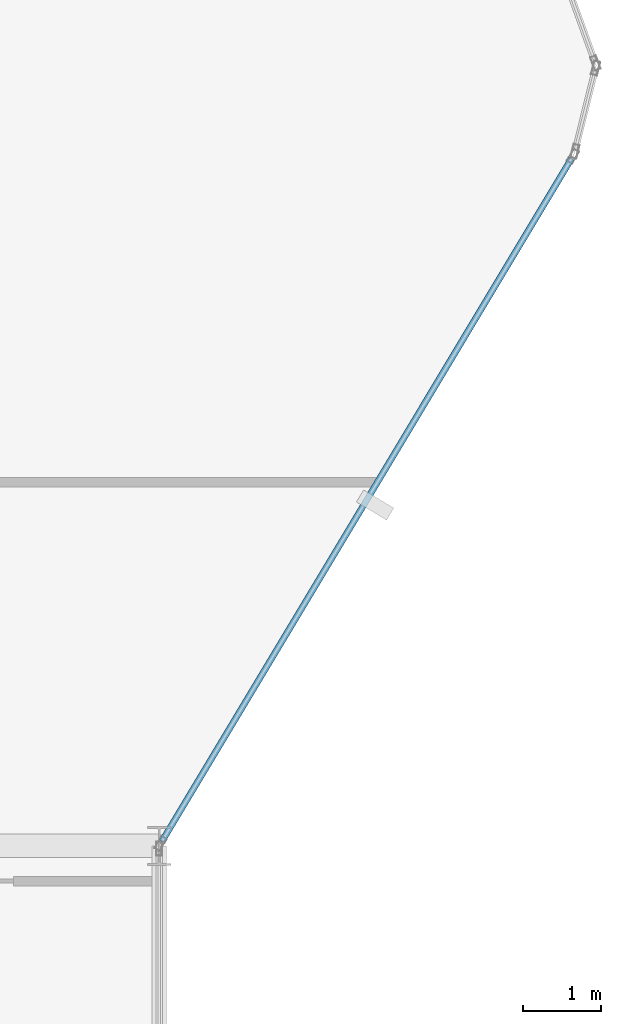
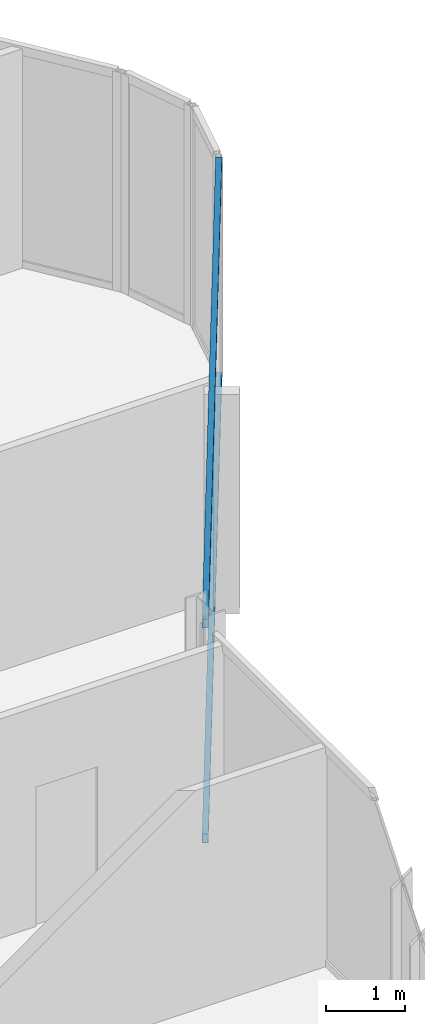
# One storey, part 14 of 31: 2 members, 1 element without a shape of its own.
"""IFC4 building model written with IfcOpenShell, lengths in metres."""

from ifc_helpers import new_model, si_unit, direction, frame, origin, origin_2d, place, context, subcontext, project, spatial, hollow_rectangle, extrude, material, layer, layer_set, material_profile, profile_set, type_object, element, aggregate, save


model = new_model("IFC4")

# Units and contexts
model_context = context("Model", 3, precision=1e-05, world=origin(), true_north=direction((0.0, 1.0)))
body_context = subcontext(model_context, "Body", "Model", "MODEL_VIEW")
ifc_project = project(units=[si_unit("LENGTHUNIT", "METRE"), si_unit("AREAUNIT", "SQUARE_METRE"), si_unit("VOLUMEUNIT", "CUBIC_METRE"), si_unit("PLANEANGLEUNIT", "RADIAN"), si_unit("MASSUNIT", "GRAM", prefix="KILO")], contexts=[model_context])

# Site, building, storey
site_placement = place(None, origin())
site = spatial("IfcSite", under=ifc_project, at=site_placement, CompositionType="ELEMENT")
building_placement = place(site_placement, origin())
building = spatial("IfcBuilding", under=site, at=building_placement, Name="Keshet Zoharim Tower", CompositionType="ELEMENT")
storey_placement = place(building_placement, frame((0.0, 0.0, 133.5)))
storey = spatial("IfcBuildingStorey", under=building, at=storey_placement, Name="L32", CompositionType="ELEMENT", Elevation=133.5)

# Curtain wall, members
ifc_material = material(Name="Aluminium 6063-T6", Category="aluminium")
ifc_layer = layer(ifc_material, 0.159912109375)
ifc_layer_set = layer_set([ifc_layer], Name="Aluminium 6063-T6")
curtain_wall_type = type_object("IfcCurtainWallType", Name="CW-SYS-03", PredefinedType="NOTDEFINED", material=ifc_layer_set)
curtain_wall_placement = place(storey_placement, origin())
curtain_wall = element("IfcCurtainWall", 1, at=curtain_wall_placement, inside=storey, type_object=curtain_wall_type, Name="L32 Unitised Curtain Wall 18", PredefinedType="NOTDEFINED")
ifc_material_profile = material_profile(ifc_material, hollow_rectangle(XDim=0.080078125, YDim=0.139892578125, WallThickness=0.00390625, at=origin_2d()), Name="TRN-80x140")
ifc_profile_set = profile_set([ifc_material_profile], Name="Aluminium 6063-T6")
member_type = type_object("IfcMemberType", Name="CWT-T14", PredefinedType="USERDEFINED", material=ifc_profile_set)
member_1_placement = place(storey_placement, frame((62.27197265625, 36.68701171875, 0.034912109375), z_axis=(-0.514467532827, -0.857509858641, 0.0), x_axis=(0.857509858641, -0.514467532827, 0.0)))
member_1 = element("IfcMember", 2, at=member_1_placement, type_object=member_type, Name="CW-03 transom 1.1", ObjectType="TRANSOM", PredefinedType="USERDEFINED", context=body_context, shape_type="SweptSolid", body=[
    extrude(hollow_rectangle(XDim=0.080078125, YDim=0.139892578125, WallThickness=0.00390625, at=origin_2d()), origin(), (0.0, 0.0, 1.0), 10.17724609375),
])
member_2_placement = place(storey_placement, frame((62.27197265625, 36.68701171875, 3.35009765625), z_axis=(-0.514467532827, -0.857509858641, 0.0), x_axis=(0.857509858641, -0.514467532827, 0.0)))
member_2 = element("IfcMember", 3, at=member_2_placement, type_object=member_type, Name="CW-03 transom 1.2", ObjectType="TRANSOM", PredefinedType="USERDEFINED", context=body_context, shape_type="SweptSolid", body=[
    extrude(hollow_rectangle(XDim=0.080078125, YDim=0.139892578125, WallThickness=0.00390625, at=origin_2d()), origin(), (0.0, 0.0, 1.0), 10.17724609375),
])
aggregate(curtain_wall, [member_1, member_2])

save(model, "model.ifc")
